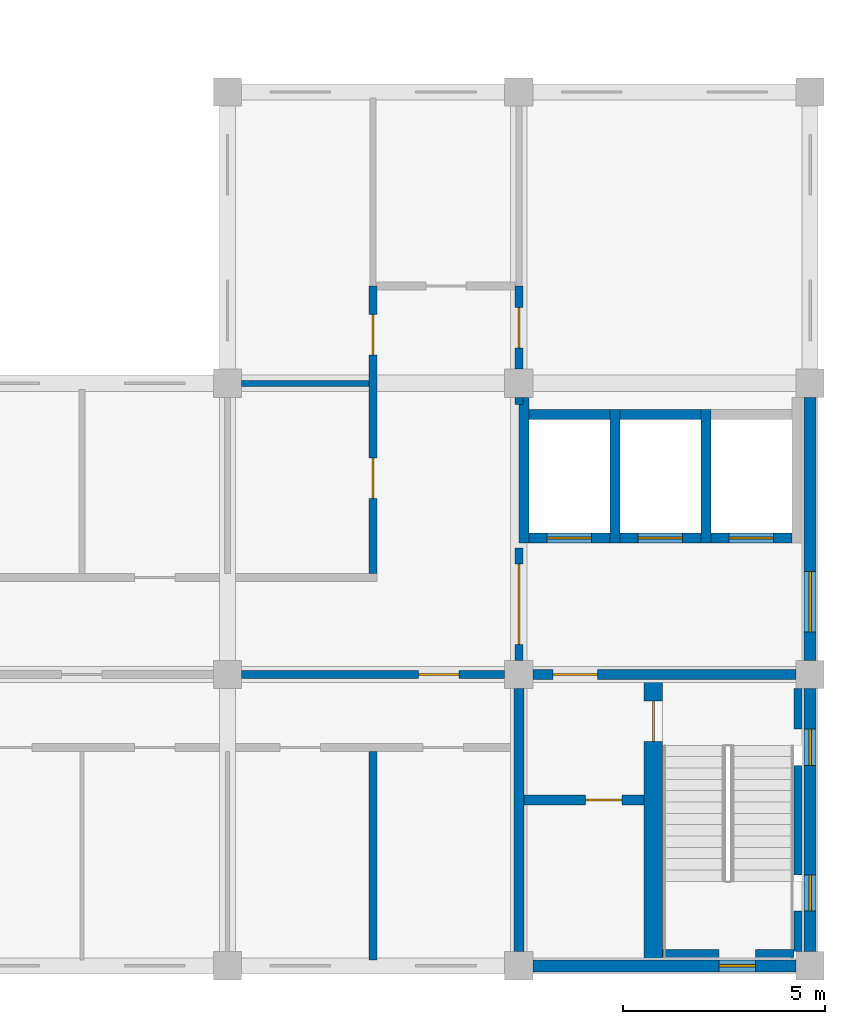
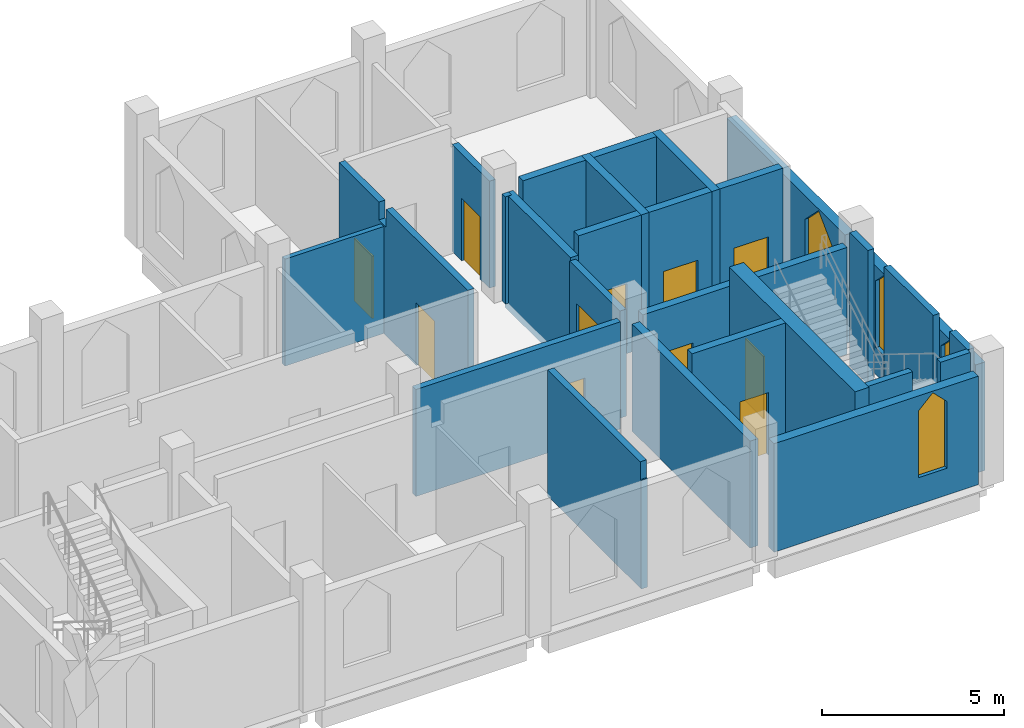
# One storey, part 3 of 5: 27 walls, 11 doors, 4 windows, 15 openings.
"""IFC4 building model written with IfcOpenShell, lengths in metres."""

from ifc_helpers import new_model, si_unit, direction, frame, frame_2d, origin, place, context, subcontext, project, spatial, polyline, rectangle, outline, extrude, material, layer, layer_set, type_object, element, fill, save


model = new_model("IFC4")

# Units and contexts
model_context = context("Model", 3, precision=1e-05, world=origin(), true_north=direction((0.0, 1.0)))
body_context = subcontext(model_context, "Body", "Model", "MODEL_VIEW")
ifc_project = project(units=[si_unit("LENGTHUNIT", "METRE"), si_unit("AREAUNIT", "SQUARE_METRE"), si_unit("VOLUMEUNIT", "CUBIC_METRE"), si_unit("PLANEANGLEUNIT", "RADIAN"), si_unit("MASSUNIT", "GRAM", prefix="KILO")], contexts=[model_context])

# Site, building, storey
site_placement = place(None, origin())
site = spatial("IfcSite", under=ifc_project, at=site_placement, CompositionType="ELEMENT")
building_placement = place(site_placement, origin())
building = spatial("IfcBuilding", under=site, at=building_placement, Name="Silangan Lancet Faculty of Sciences", CompositionType="ELEMENT")
storey_placement = place(building_placement, frame((0.0, 0.0, 63.300048828125)))
storey = spatial("IfcBuildingStorey", under=building, at=storey_placement, Name="L13", CompositionType="ELEMENT", Elevation=63.300048828125)

# Wall, opening, window
ifc_material_1 = material(Name="Concrete C40/50 precast", Category="concrete")
ifc_layer_1 = layer(ifc_material_1, 0.300048828125)
ifc_layer_set_1 = layer_set([ifc_layer_1], Name="Concrete C40/50 precast")
wall_type_1 = type_object("IfcWallType", Name="EW1 Precast cladding wall", PredefinedType="STANDARD", material=ifc_layer_set_1)
wall_1_placement = place(storey_placement, frame((28.800048828125, 7.550048828125, 0.0), z_axis=(0.0, 0.0, 1.0), x_axis=(0.0, 1.0, 0.0)))
wall_1 = element("IfcWall", 1, at=wall_1_placement, inside=storey, type_object=wall_type_1, Name="EW-L13-E-ST-01", PredefinedType="STANDARD", context=body_context, shape_type="SweptSolid", body=[
    extrude(rectangle(XDim=6.5, YDim=0.300048828125, at=frame_2d((3.25, 0.0))), origin(), (0.0, 0.0, 1.0), 3.64990234375),
])
opening_1_placement = place(wall_1_placement, frame((0.699951171875, 0.0, 0.89990234375)))
opening_1 = element("IfcOpeningElement", 2, at=opening_1_placement, cuts=wall_1, Name="Opening W23", PredefinedType="OPENING", context=body_context, shape_type="SweptSolid", body=[
    extrude(outline(polyline([(0.0, 0.0), (1.5, 0.0), (1.5, 1.949951171875), (0.75, 2.699951171875), (0.0, 1.949951171875), (0.0, 0.0)])), frame((0.0, 0.159912109375, 0.0), z_axis=(0.0, -1.0, 0.0), x_axis=(1.0, 0.0, 0.0)), (0.0, 0.0, 1.0), 0.320068359375),
])
ifc_material_2 = material(Name="Aluminium frame, laminated double glazing", Category="aluminium")
window_type_1 = type_object("IfcWindowType", Name="W23 Lancet window 1500 x 2700", PartitioningType="SINGLE_PANEL", PredefinedType="WINDOW", material=ifc_material_2)
window_1_placement = place(opening_1_placement, origin())
window_1 = element("IfcWindow", 3, at=window_1_placement, inside=storey, type_object=window_type_1, Name="WIN-L13-E-ST-01a", OverallHeight=2.699951171875, OverallWidth=1.5, PartitioningType="SINGLE_PANEL", PredefinedType="WINDOW", context=body_context, shape_type="SweptSolid", body=[
    extrude(outline(polyline([(0.0, 0.0), (1.5, 0.0), (1.5, 1.949951171875), (0.75, 2.699951171875), (0.0, 1.949951171875), (0.0, 0.0)])), frame((0.0, 0.030029296875, 0.0), z_axis=(0.0, -1.0, 0.0), x_axis=(1.0, 0.0, 0.0)), (0.0, 0.0, 1.0), 0.06005859375),
])
fill(opening_1, window_1)

ifc_material_3 = material(Name="Concrete C40/50 precast", Category="concrete")
ifc_layer_2 = layer(ifc_material_3, 0.300048828125)
ifc_layer_set_2 = layer_set([ifc_layer_2], Name="Concrete C40/50 precast")
wall_type_2 = type_object("IfcWallType", Name="EW2 Turret enclosure wall", PredefinedType="STANDARD", material=ifc_layer_set_2)
wall_2_placement = place(storey_placement, frame((21.949951171875, 0.0, 0.0), z_axis=(0.0, 0.0, 1.0), x_axis=(1.0, 0.0, 0.0)))
wall_2 = element("IfcWall", 4, at=wall_2_placement, inside=storey, type_object=wall_type_2, Name="EW-L13-S-ST-03", PredefinedType="STANDARD", context=body_context, shape_type="SweptSolid", body=[
    extrude(rectangle(XDim=6.5, YDim=0.300048828125, at=frame_2d((3.25, 0.0))), origin(), (0.0, 0.0, 1.0), 3.64990234375),
])
opening_2_placement = place(wall_2_placement, frame((4.60009765625, 0.0, 0.89990234375)))
opening_2 = element("IfcOpeningElement", 5, at=opening_2_placement, cuts=wall_2, Name="Opening W22", PredefinedType="OPENING", context=body_context, shape_type="SweptSolid", body=[
    extrude(outline(polyline([(0.0, 0.0), (0.89990234375, 0.0), (0.89990234375, 2.25), (0.449951171875, 2.699951171875), (0.0, 2.25), (0.0, 0.0)])), frame((0.0, 0.159912109375, 0.0), z_axis=(0.0, -1.0, 0.0), x_axis=(1.0, 0.0, 0.0)), (0.0, 0.0, 1.0), 0.320068359375),
])
ifc_material_4 = material(Name="Aluminium frame, laminated double glazing", Category="aluminium")
window_type_2 = type_object("IfcWindowType", Name="W22 Lancet window 900 x 2700", PartitioningType="SINGLE_PANEL", PredefinedType="WINDOW", material=ifc_material_4)
window_2_placement = place(opening_2_placement, origin())
window_2 = element("IfcWindow", 6, at=window_2_placement, inside=storey, type_object=window_type_2, Name="WIN-L13-S-ST-03b", OverallHeight=2.699951171875, OverallWidth=0.89990234375, PartitioningType="SINGLE_PANEL", PredefinedType="WINDOW", context=body_context, shape_type="SweptSolid", body=[
    extrude(outline(polyline([(0.0, 0.0), (0.89990234375, 0.0), (0.89990234375, 2.25), (0.449951171875, 2.699951171875), (0.0, 2.25), (0.0, 0.0)])), frame((0.0, 0.030029296875, 0.0), z_axis=(0.0, -1.0, 0.0), x_axis=(1.0, 0.0, 0.0)), (0.0, 0.0, 1.0), 0.06005859375),
])
fill(opening_2, window_2)

# Wall, openings, windows
wall_3_placement = place(storey_placement, frame((28.800048828125, 0.35009765625, 0.0), z_axis=(0.0, 0.0, 1.0), x_axis=(0.0, 1.0, 0.0)))
wall_3 = element("IfcWall", 7, at=wall_3_placement, inside=storey, type_object=wall_type_2, Name="EW-L13-E-ST-00", PredefinedType="STANDARD", context=body_context, shape_type="SweptSolid", body=[
    extrude(rectangle(XDim=6.5, YDim=0.300048828125, at=frame_2d((3.25, 0.0))), origin(), (0.0, 0.0, 1.0), 3.64990234375),
])
opening_3_placement = place(wall_3_placement, frame((1.0, 0.0, 0.89990234375)))
opening_3 = element("IfcOpeningElement", 8, at=opening_3_placement, cuts=wall_3, Name="Opening W22", PredefinedType="OPENING", context=body_context, shape_type="SweptSolid", body=[
    extrude(outline(polyline([(0.0, 0.0), (0.89990234375, 0.0), (0.89990234375, 2.25), (0.449951171875, 2.699951171875), (0.0, 2.25), (0.0, 0.0)])), frame((0.0, 0.159912109375, 0.0), z_axis=(0.0, -1.0, 0.0), x_axis=(1.0, 0.0, 0.0)), (0.0, 0.0, 1.0), 0.320068359375),
])
opening_4_placement = place(wall_3_placement, frame((4.60009765625, 0.0, 0.89990234375)))
opening_4 = element("IfcOpeningElement", 9, at=opening_4_placement, cuts=wall_3, Name="Opening W22", PredefinedType="OPENING", context=body_context, shape_type="SweptSolid", body=[
    extrude(outline(polyline([(0.0, 0.0), (0.89990234375, 0.0), (0.89990234375, 2.25), (0.449951171875, 2.699951171875), (0.0, 2.25), (0.0, 0.0)])), frame((0.0, 0.159912109375, 0.0), z_axis=(0.0, -1.0, 0.0), x_axis=(1.0, 0.0, 0.0)), (0.0, 0.0, 1.0), 0.320068359375),
])
window_3_placement = place(opening_3_placement, origin())
window_3 = element("IfcWindow", 10, at=window_3_placement, inside=storey, type_object=window_type_2, Name="WIN-L13-E-ST-00a", OverallHeight=2.699951171875, OverallWidth=0.89990234375, PartitioningType="SINGLE_PANEL", PredefinedType="WINDOW", context=body_context, shape_type="SweptSolid", body=[
    extrude(outline(polyline([(0.0, 0.0), (0.89990234375, 0.0), (0.89990234375, 2.25), (0.449951171875, 2.699951171875), (0.0, 2.25), (0.0, 0.0)])), frame((0.0, 0.030029296875, 0.0), z_axis=(0.0, -1.0, 0.0), x_axis=(1.0, 0.0, 0.0)), (0.0, 0.0, 1.0), 0.06005859375),
])
fill(opening_3, window_3)
window_4_placement = place(opening_4_placement, origin())
window_4 = element("IfcWindow", 11, at=window_4_placement, inside=storey, type_object=window_type_2, Name="WIN-L13-E-ST-00b", OverallHeight=2.699951171875, OverallWidth=0.89990234375, PartitioningType="SINGLE_PANEL", PredefinedType="WINDOW", context=body_context, shape_type="SweptSolid", body=[
    extrude(outline(polyline([(0.0, 0.0), (0.89990234375, 0.0), (0.89990234375, 2.25), (0.449951171875, 2.699951171875), (0.0, 2.25), (0.0, 0.0)])), frame((0.0, 0.030029296875, 0.0), z_axis=(0.0, -1.0, 0.0), x_axis=(1.0, 0.0, 0.0)), (0.0, 0.0, 1.0), 0.06005859375),
])
fill(opening_4, window_4)

# Wall, opening, door
ifc_material_5 = material(Name="Hollow block masonry fm 7 MPa", Category="masonry")
ifc_layer_3 = layer(ifc_material_5, 0.199951171875)
ifc_layer_set_3 = layer_set([ifc_layer_3], Name="Hollow block masonry fm 7 MPa")
wall_type_3 = type_object("IfcWallType", Name="Interior wall PW1 Corridor wall CHB 200", PredefinedType="PARTITIONING", material=ifc_layer_set_3)
wall_4_placement = place(storey_placement, frame((14.75, 7.199951171875, 0.0), z_axis=(0.0, 0.0, 1.0), x_axis=(1.0, 0.0, 0.0)))
wall_4 = element("IfcWall", 12, at=wall_4_placement, inside=storey, type_object=wall_type_3, Name="Corridor wall CHB 200", PredefinedType="PARTITIONING", context=body_context, shape_type="SweptSolid", body=[
    extrude(rectangle(XDim=6.5, YDim=0.199951171875, at=frame_2d((3.25, 0.0))), origin(), (0.0, 0.0, 1.0), 3.599853515625),
])
opening_5_placement = place(wall_4_placement, frame((4.375, 0.0, 0.0)))
opening_5 = element("IfcOpeningElement", 13, at=opening_5_placement, cuts=wall_4, Name="Opening L13-003", PredefinedType="OPENING", context=body_context, shape_type="SweptSolid", body=[
    extrude(rectangle(XDim=1.0, YDim=2.10009765625, at=frame_2d((0.5, 1.050048828125))), frame((0.0, 0.10986328125, 0.0), z_axis=(0.0, -1.0, 0.0), x_axis=(1.0, 0.0, 0.0)), (0.0, 0.0, 1.0), 0.219970703125),
])
ifc_material_6 = material(Name="Steel fire door set", Category="steel")
door_type_1 = type_object("IfcDoorType", Name="Door D1 Single leaf fire door 1000 x 2100", OperationType="SINGLE_SWING_LEFT", PredefinedType="DOOR", material=ifc_material_6)
door_1_placement = place(opening_5_placement, frame((1.0, 0.0, 0.0), z_axis=(0.0, 0.0, 1.0), x_axis=(-1.0, 0.0, 0.0)))
door_1 = element("IfcDoor", 14, at=door_1_placement, inside=storey, type_object=door_type_1, Name="Single leaf fire door 1000 x 2100", OperationType="SINGLE_SWING_RIGHT", OverallHeight=2.10009765625, OverallWidth=1.0, PredefinedType="DOOR", context=body_context, shape_type="SweptSolid", body=[
    extrude(rectangle(XDim=1.0, YDim=2.10009765625, at=frame_2d((0.5, 1.050048828125))), frame((0.0, 0.025146484375, 0.0), z_axis=(0.0, -1.0, 0.0), x_axis=(1.0, 0.0, 0.0)), (0.0, 0.0, 1.0), 0.050048828125),
])
fill(opening_5, door_1)

# Wall, openings, doors
wall_5_placement = place(storey_placement, frame((18.0, 9.699951171875, 0.0), z_axis=(0.0, 0.0, 1.0), x_axis=(0.0, 1.0, 0.0)))
wall_5 = element("IfcWall", 15, at=wall_5_placement, inside=storey, type_object=wall_type_3, Name="Corridor wall CHB 200", PredefinedType="PARTITIONING", context=body_context, shape_type="SweptSolid", body=[
    extrude(outline(polyline([(0.0, 0.0), (7.10009765625, 0.0), (7.10009765625, 4.25), (4.89990234375, 4.25), (4.89990234375, 3.64990234375), (4.5, 3.64990234375), (4.5, 4.25), (0.0, 4.25), (0.0, 0.0)])), frame((0.0, 0.10009765625, 0.0), z_axis=(0.0, -1.0, 0.0), x_axis=(1.0, 0.0, 0.0)), (0.0, 0.0, 1.0), 0.199951171875),
])
opening_6_placement = place(wall_5_placement, frame((5.39990234375, 0.0, 0.0)))
opening_6 = element("IfcOpeningElement", 16, at=opening_6_placement, cuts=wall_5, Name="Opening L13-010", PredefinedType="OPENING", context=body_context, shape_type="SweptSolid", body=[
    extrude(rectangle(XDim=1.0, YDim=2.10009765625, at=frame_2d((0.5, 1.050048828125))), frame((0.0, 0.10986328125, 0.0), z_axis=(0.0, -1.0, 0.0), x_axis=(1.0, 0.0, 0.0)), (0.0, 0.0, 1.0), 0.219970703125),
])
opening_7_placement = place(wall_5_placement, frame((1.85009765625, 0.0, 0.0)))
opening_7 = element("IfcOpeningElement", 17, at=opening_7_placement, cuts=wall_5, Name="Opening L13-014", PredefinedType="OPENING", context=body_context, shape_type="SweptSolid", body=[
    extrude(rectangle(XDim=1.0, YDim=2.10009765625, at=frame_2d((0.5, 1.050048828125))), frame((0.0, 0.10986328125, 0.0), z_axis=(0.0, -1.0, 0.0), x_axis=(1.0, 0.0, 0.0)), (0.0, 0.0, 1.0), 0.219970703125),
])
door_2_placement = place(opening_6_placement, origin())
door_2 = element("IfcDoor", 18, at=door_2_placement, inside=storey, type_object=door_type_1, Name="Single leaf fire door 1000 x 2100", OperationType="SINGLE_SWING_RIGHT", OverallHeight=2.10009765625, OverallWidth=1.0, PredefinedType="DOOR", context=body_context, shape_type="SweptSolid", body=[
    extrude(rectangle(XDim=1.0, YDim=2.10009765625, at=frame_2d((0.5, 1.050048828125))), frame((0.0, 0.02490234375, 0.0), z_axis=(0.0, -1.0, 0.0), x_axis=(1.0, 0.0, 0.0)), (0.0, 0.0, 1.0), 0.050048828125),
])
fill(opening_6, door_2)
door_3_placement = place(opening_7_placement, origin())
door_3 = element("IfcDoor", 19, at=door_3_placement, inside=storey, type_object=door_type_1, Name="Single leaf fire door 1000 x 2100", OperationType="SINGLE_SWING_RIGHT", OverallHeight=2.10009765625, OverallWidth=1.0, PredefinedType="DOOR", context=body_context, shape_type="SweptSolid", body=[
    extrude(rectangle(XDim=1.0, YDim=2.10009765625, at=frame_2d((0.5, 1.050048828125))), frame((0.0, 0.02490234375, 0.0), z_axis=(0.0, -1.0, 0.0), x_axis=(1.0, 0.0, 0.0)), (0.0, 0.0, 1.0), 0.050048828125),
])
fill(opening_7, door_3)

# Wall
wall_6_placement = place(storey_placement, frame((21.60009765625, 13.875, 0.0), z_axis=(0.0, 0.0, 1.0), x_axis=(0.0, 1.0, 0.0)))
element("IfcWall", 20, at=wall_6_placement, inside=storey, type_object=wall_type_3, Name="Corridor wall CHB 200", PredefinedType="PARTITIONING", context=body_context, shape_type="SweptSolid", body=[
    extrude(rectangle(XDim=0.175048828125, YDim=0.199951171875, at=frame_2d((0.08740234375, 0.0))), origin(), (0.0, 0.0, 1.0), 3.599853515625),
])

# Wall, opening, door
wall_7_placement = place(storey_placement, frame((21.60009765625, 14.75, 0.0), z_axis=(0.0, 0.0, 1.0), x_axis=(0.0, 1.0, 0.0)))
wall_7 = element("IfcWall", 21, at=wall_7_placement, inside=storey, type_object=wall_type_3, Name="Corridor wall CHB 200", PredefinedType="PARTITIONING", context=body_context, shape_type="SweptSolid", body=[
    extrude(rectangle(XDim=2.050048828125, YDim=0.199951171875, at=frame_2d((1.02490234375, 0.0))), origin(), (0.0, 0.0, 1.0), 3.599853515625),
])
opening_8_placement = place(wall_7_placement, frame((0.52490234375, 0.0, 0.0)))
opening_8 = element("IfcOpeningElement", 22, at=opening_8_placement, cuts=wall_7, Name="Opening L13-009", PredefinedType="OPENING", context=body_context, shape_type="SweptSolid", body=[
    extrude(rectangle(XDim=1.0, YDim=2.10009765625, at=frame_2d((0.5, 1.050048828125))), frame((0.0, 0.10986328125, 0.0), z_axis=(0.0, -1.0, 0.0), x_axis=(1.0, 0.0, 0.0)), (0.0, 0.0, 1.0), 0.219970703125),
])
door_4_placement = place(opening_8_placement, frame((1.0, 0.0, 0.0), z_axis=(0.0, 0.0, 1.0), x_axis=(-1.0, 0.0, 0.0)))
door_4 = element("IfcDoor", 23, at=door_4_placement, inside=storey, type_object=door_type_1, Name="Single leaf fire door 1000 x 2100", OperationType="SINGLE_SWING_RIGHT", OverallHeight=2.10009765625, OverallWidth=1.0, PredefinedType="DOOR", context=body_context, shape_type="SweptSolid", body=[
    extrude(rectangle(XDim=1.0, YDim=2.10009765625, at=frame_2d((0.5, 1.050048828125))), frame((0.0, 0.025146484375, 0.0), z_axis=(0.0, -1.0, 0.0), x_axis=(1.0, 0.0, 0.0)), (0.0, 0.0, 1.0), 0.050048828125),
])
fill(opening_8, door_4)

# Walls
ifc_material_7 = material(Name="Hollow block masonry fm 7 MPa", Category="masonry")
ifc_layer_4 = layer(ifc_material_7, 0.14990234375)
ifc_layer_set_4 = layer_set([ifc_layer_4], Name="Hollow block masonry fm 7 MPa")
wall_type_4 = type_object("IfcWallType", Name="Interior wall PW3 Partition CHB 150", PredefinedType="PARTITIONING", material=ifc_layer_set_4)
wall_8_placement = place(storey_placement, frame((14.75, 14.39990234375, 0.0), z_axis=(0.0, 0.0, 1.0), x_axis=(1.0, 0.0, 0.0)))
element("IfcWall", 24, at=wall_8_placement, inside=storey, type_object=wall_type_4, Name="Partition CHB 150", PredefinedType="PARTITIONING", context=body_context, shape_type="SweptSolid", body=[
    extrude(rectangle(XDim=3.14990234375, YDim=0.14990234375, at=frame_2d((1.574951171875, 0.0))), origin(), (0.0, 0.0, 1.0), 3.599853515625),
])
ifc_material_8 = material(Name="Hollow block masonry fm 7 MPa", Category="masonry")
ifc_layer_5 = layer(ifc_material_8, 0.199951171875)
ifc_layer_set_5 = layer_set([ifc_layer_5], Name="Hollow block masonry fm 7 MPa")
wall_type_5 = type_object("IfcWallType", Name="Interior wall PW4 Laboratory separation CHB 200", PredefinedType="PARTITIONING", material=ifc_layer_set_5)
wall_9_placement = place(storey_placement, frame((18.0, 0.14990234375, 0.0), z_axis=(0.0, 0.0, 1.0), x_axis=(0.0, 1.0, 0.0)))
element("IfcWall", 25, at=wall_9_placement, inside=storey, type_object=wall_type_5, Name="Laboratory separation CHB 200", PredefinedType="PARTITIONING", context=body_context, shape_type="SweptSolid", body=[
    extrude(outline(polyline([(0.0, 0.0), (5.150146484375, 0.0), (5.150146484375, 4.25), (0.050048828125, 4.25), (0.050048828125, 3.64990234375), (0.0, 3.64990234375), (0.0, 0.0)])), frame((0.0, 0.10009765625, 0.0), z_axis=(0.0, -1.0, 0.0), x_axis=(1.0, 0.0, 0.0)), (0.0, 0.0, 1.0), 0.199951171875),
])

# Wall, opening, door
ifc_material_9 = material(Name="Hollow block masonry fm 7 MPa", Category="masonry")
ifc_layer_6 = layer(ifc_material_9, 0.199951171875)
ifc_layer_set_6 = layer_set([ifc_layer_6], Name="Hollow block masonry fm 7 MPa")
wall_type_6 = type_object("IfcWallType", Name="Interior wall PW9 Lift lobby wall CHB 200", PredefinedType="PARTITIONING", material=ifc_layer_set_6)
wall_10_placement = place(storey_placement, frame((21.60009765625, 7.550048828125, 0.0), z_axis=(0.0, 0.0, 1.0), x_axis=(0.0, 1.0, 0.0)))
wall_10 = element("IfcWall", 26, at=wall_10_placement, inside=storey, type_object=wall_type_6, Name="Lift lobby wall CHB 200", PredefinedType="PARTITIONING", context=body_context, shape_type="SweptSolid", body=[
    extrude(rectangle(XDim=2.77490234375, YDim=0.199951171875, at=frame_2d((1.387451171875, 0.0))), origin(), (0.0, 0.0, 1.0), 3.599853515625),
])
opening_9_placement = place(wall_10_placement, frame((0.387451171875, 0.0, 0.0)))
opening_9 = element("IfcOpeningElement", 27, at=opening_9_placement, cuts=wall_10, Name="Opening L13-001", PredefinedType="OPENING", context=body_context, shape_type="SweptSolid", body=[
    extrude(rectangle(XDim=2.0, YDim=2.39990234375, at=frame_2d((1.0, 1.199951171875))), frame((0.0, 0.10986328125, 0.0), z_axis=(0.0, -1.0, 0.0), x_axis=(1.0, 0.0, 0.0)), (0.0, 0.0, 1.0), 0.219970703125),
])
ifc_material_10 = material(Name="Steel fire door set", Category="steel")
door_type_2 = type_object("IfcDoorType", Name="Door D5 Lift lobby double fire door 2000 x 2400", OperationType="DOUBLE_DOOR_SINGLE_SWING", PredefinedType="DOOR", material=ifc_material_10)
door_5_placement = place(opening_9_placement, origin())
door_5 = element("IfcDoor", 28, at=door_5_placement, inside=storey, type_object=door_type_2, Name="Lift lobby double fire door 2000 x 2400", OperationType="DOUBLE_DOOR_SINGLE_SWING", OverallHeight=2.39990234375, OverallWidth=2.0, PredefinedType="DOOR", context=body_context, shape_type="SweptSolid", body=[
    extrude(rectangle(XDim=2.0, YDim=2.39990234375, at=frame_2d((1.0, 1.199951171875))), frame((0.0, 0.02490234375, 0.0), z_axis=(0.0, -1.0, 0.0), x_axis=(1.0, 0.0, 0.0)), (0.0, 0.0, 1.0), 0.050048828125),
])
fill(opening_9, door_5)

# Walls
ifc_material_11 = material(Name="Concrete C40/50", Category="concrete")
ifc_layer_7 = layer(ifc_material_11, 0.25)
ifc_layer_set_7 = layer_set([ifc_layer_7], Name="Concrete C40/50")
wall_type_7 = type_object("IfcWallType", Name="LIFT SHAFT WALL RC 250", PredefinedType="SHEAR", material=ifc_layer_set_7)
wall_11_placement = place(storey_placement, frame((21.72509765625, 10.449951171875, -0.25), z_axis=(0.0, 0.0, 1.0), x_axis=(0.0, 1.0, 0.0)))
element("IfcWall", 29, at=wall_11_placement, inside=storey, type_object=wall_type_7, Name="WALL-L13-ST-SW1", PredefinedType="SHEAR", context=body_context, shape_type="SweptSolid", body=[
    extrude(rectangle(XDim=3.60009765625, YDim=0.25, at=frame_2d((1.800048828125, 0.0))), origin(), (0.0, 0.0, 1.0), 3.849853515625),
])
for number, where, z_axis, x_axis, name in (
    (30, (23.97509765625, 10.449951171875, -0.25), (0.0, 0.0, 1.0), (0.0, 1.0, 0.0), "WALL-L13-ST-SW2"),
    (31, (26.22509765625, 10.449951171875, -0.25), (0.0, 0.0, 1.0), (0.0, 1.0, 0.0), "WALL-L13-ST-SW3"),
):
    element("IfcWall", number, at=place(storey_placement, frame(where, z_axis=z_axis, x_axis=x_axis)), inside=storey, type_object=wall_type_7, Name=name, PredefinedType="SHEAR", context=body_context, shape_type="SweptSolid", body=[
        extrude(rectangle(XDim=3.300048828125, YDim=0.25, at=frame_2d((1.64990234375, 0.0))), origin(), (0.0, 0.0, 1.0), 4.5),
    ])

# Wall, opening, door
wall_12_placement = place(storey_placement, frame((21.85009765625, 10.574951171875, -0.25), z_axis=(0.0, 0.0, 1.0), x_axis=(1.0, 0.0, 0.0)))
wall_12 = element("IfcWall", 32, at=wall_12_placement, inside=storey, type_object=wall_type_7, Name="WALL-L13-ST-L1-F", PredefinedType="SHEAR", context=body_context, shape_type="SweptSolid", body=[
    extrude(rectangle(XDim=2.0, YDim=0.25, at=frame_2d((1.0, 0.0))), origin(), (0.0, 0.0, 1.0), 4.5),
])
opening_10_placement = place(wall_12_placement, frame((0.449951171875, 0.0, 0.25)))
opening_10 = element("IfcOpeningElement", 33, at=opening_10_placement, cuts=wall_12, Name="Opening L13-801", PredefinedType="OPENING", context=body_context, shape_type="SweptSolid", body=[
    extrude(rectangle(XDim=1.10009765625, YDim=2.10009765625, at=frame_2d((0.550048828125, 1.050048828125))), frame((0.0, 0.135009765625, 0.0), z_axis=(0.0, -1.0, 0.0), x_axis=(1.0, 0.0, 0.0)), (0.0, 0.0, 1.0), 0.27001953125),
])
ifc_material_12 = material(Name="Stainless steel sliding door", Category="steel")
door_type_3 = type_object("IfcDoorType", Name="LD1 Lift landing door 1100x2100", OperationType="SLIDING_TO_LEFT", PredefinedType="DOOR", material=ifc_material_12)
door_6_placement = place(opening_10_placement, origin())
door_6 = element("IfcDoor", 34, at=door_6_placement, inside=storey, type_object=door_type_3, Name="Landing door ST-L1 L13", OperationType="SLIDING_TO_LEFT", OverallHeight=2.10009765625, OverallWidth=1.10009765625, PredefinedType="DOOR", context=body_context, shape_type="SweptSolid", body=[
    extrude(rectangle(XDim=1.10009765625, YDim=2.10009765625, at=frame_2d((0.550048828125, 1.050048828125))), frame((0.0, 0.02490234375, 0.0), z_axis=(0.0, -1.0, 0.0), x_axis=(1.0, 0.0, 0.0)), (0.0, 0.0, 1.0), 0.050048828125),
])
fill(opening_10, door_6)

# Wall
wall_13_placement = place(storey_placement, frame((21.85009765625, 13.625, -0.25), z_axis=(0.0, 0.0, 1.0), x_axis=(1.0, 0.0, 0.0)))
element("IfcWall", 35, at=wall_13_placement, inside=storey, type_object=wall_type_7, Name="WALL-L13-ST-L1-B", PredefinedType="SHEAR", context=body_context, shape_type="SweptSolid", body=[
    extrude(rectangle(XDim=2.0, YDim=0.25, at=frame_2d((1.0, 0.0))), origin(), (0.0, 0.0, 1.0), 4.5),
])

# Wall, opening, door
wall_14_placement = place(storey_placement, frame((24.10009765625, 10.574951171875, -0.25), z_axis=(0.0, 0.0, 1.0), x_axis=(1.0, 0.0, 0.0)))
wall_14 = element("IfcWall", 36, at=wall_14_placement, inside=storey, type_object=wall_type_7, Name="WALL-L13-ST-L2-F", PredefinedType="SHEAR", context=body_context, shape_type="SweptSolid", body=[
    extrude(rectangle(XDim=2.0, YDim=0.25, at=frame_2d((1.0, 0.0))), origin(), (0.0, 0.0, 1.0), 4.5),
])
opening_11_placement = place(wall_14_placement, frame((0.449951171875, 0.0, 0.25)))
opening_11 = element("IfcOpeningElement", 37, at=opening_11_placement, cuts=wall_14, Name="Opening L13-802", PredefinedType="OPENING", context=body_context, shape_type="SweptSolid", body=[
    extrude(rectangle(XDim=1.10009765625, YDim=2.10009765625, at=frame_2d((0.550048828125, 1.050048828125))), frame((0.0, 0.135009765625, 0.0), z_axis=(0.0, -1.0, 0.0), x_axis=(1.0, 0.0, 0.0)), (0.0, 0.0, 1.0), 0.27001953125),
])
door_7_placement = place(opening_11_placement, origin())
door_7 = element("IfcDoor", 38, at=door_7_placement, inside=storey, type_object=door_type_3, Name="Landing door ST-L2 L13", OperationType="SLIDING_TO_LEFT", OverallHeight=2.10009765625, OverallWidth=1.10009765625, PredefinedType="DOOR", context=body_context, shape_type="SweptSolid", body=[
    extrude(rectangle(XDim=1.10009765625, YDim=2.10009765625, at=frame_2d((0.550048828125, 1.050048828125))), frame((0.0, 0.02490234375, 0.0), z_axis=(0.0, -1.0, 0.0), x_axis=(1.0, 0.0, 0.0)), (0.0, 0.0, 1.0), 0.050048828125),
])
fill(opening_11, door_7)

# Wall
wall_15_placement = place(storey_placement, frame((24.10009765625, 13.625, -0.25), z_axis=(0.0, 0.0, 1.0), x_axis=(1.0, 0.0, 0.0)))
element("IfcWall", 39, at=wall_15_placement, inside=storey, type_object=wall_type_7, Name="WALL-L13-ST-L2-B", PredefinedType="SHEAR", context=body_context, shape_type="SweptSolid", body=[
    extrude(rectangle(XDim=2.0, YDim=0.25, at=frame_2d((1.0, 0.0))), origin(), (0.0, 0.0, 1.0), 4.5),
])

# Wall, opening, door
wall_16_placement = place(storey_placement, frame((26.35009765625, 10.574951171875, -0.25), z_axis=(0.0, 0.0, 1.0), x_axis=(1.0, 0.0, 0.0)))
wall_16 = element("IfcWall", 40, at=wall_16_placement, inside=storey, type_object=wall_type_7, Name="WALL-L13-ST-L3-F", PredefinedType="SHEAR", context=body_context, shape_type="SweptSolid", body=[
    extrude(rectangle(XDim=2.0, YDim=0.25, at=frame_2d((1.0, 0.0))), origin(), (0.0, 0.0, 1.0), 4.5),
])
opening_12_placement = place(wall_16_placement, frame((0.449951171875, 0.0, 0.25)))
opening_12 = element("IfcOpeningElement", 41, at=opening_12_placement, cuts=wall_16, Name="Opening L13-803", PredefinedType="OPENING", context=body_context, shape_type="SweptSolid", body=[
    extrude(rectangle(XDim=1.10009765625, YDim=2.10009765625, at=frame_2d((0.550048828125, 1.050048828125))), frame((0.0, 0.135009765625, 0.0), z_axis=(0.0, -1.0, 0.0), x_axis=(1.0, 0.0, 0.0)), (0.0, 0.0, 1.0), 0.27001953125),
])
door_8_placement = place(opening_12_placement, origin())
door_8 = element("IfcDoor", 42, at=door_8_placement, inside=storey, type_object=door_type_3, Name="Landing door ST-L3 L13", OperationType="SLIDING_TO_LEFT", OverallHeight=2.10009765625, OverallWidth=1.10009765625, PredefinedType="DOOR", context=body_context, shape_type="SweptSolid", body=[
    extrude(rectangle(XDim=1.10009765625, YDim=2.10009765625, at=frame_2d((0.550048828125, 1.050048828125))), frame((0.0, 0.02490234375, 0.0), z_axis=(0.0, -1.0, 0.0), x_axis=(1.0, 0.0, 0.0)), (0.0, 0.0, 1.0), 0.050048828125),
])
fill(opening_12, door_8)

ifc_material_13 = material(Name="Concrete C40/50", Category="concrete")
ifc_layer_8 = layer(ifc_material_13, 0.449951171875)
ifc_layer_set_8 = layer_set([ifc_layer_8], Name="Concrete C40/50")
wall_type_8 = type_object("IfcWallType", Name="TURRET CORE WALL RC 450", PredefinedType="SHEAR", material=ifc_layer_set_8)
wall_17_placement = place(storey_placement, frame((24.925048828125, 0.14990234375, 0.0), z_axis=(0.0, 0.0, 1.0), x_axis=(0.0, 1.0, 0.0)))
wall_17 = element("IfcWall", 43, at=wall_17_placement, inside=storey, type_object=wall_type_8, Name="WALL-L13-ST-B-WELL", PredefinedType="SHEAR", context=body_context, shape_type="SweptSolid", body=[
    extrude(rectangle(XDim=6.925048828125, YDim=0.449951171875, at=frame_2d((3.46240234375, 0.0))), origin(), (0.0, 0.0, 1.0), 4.25),
])
opening_13_placement = place(wall_17_placement, frame((5.39990234375, 0.0, 0.0)))
opening_13 = element("IfcOpeningElement", 44, at=opening_13_placement, cuts=wall_17, Name="Opening L13-704", PredefinedType="OPENING", context=body_context, shape_type="SweptSolid", body=[
    extrude(rectangle(XDim=1.0, YDim=2.10009765625, at=frame_2d((0.5, 1.050048828125))), frame((0.0, 0.23486328125, 0.0), z_axis=(0.0, -1.0, 0.0), x_axis=(1.0, 0.0, 0.0)), (0.0, 0.0, 1.0), 0.469970703125),
])
ifc_material_14 = material(Name="Steel fire door set", Category="steel")
door_type_4 = type_object("IfcDoorType", Name="D71 Stair enclosure door 1000x2100", OperationType="SINGLE_SWING_LEFT", PredefinedType="DOOR", material=ifc_material_14)
door_9_placement = place(opening_13_placement, frame((1.0, 0.0, 0.0), z_axis=(0.0, 0.0, 1.0), x_axis=(-1.0, 0.0, 0.0)))
door_9 = element("IfcDoor", 45, at=door_9_placement, inside=storey, type_object=door_type_4, Name="Stair enclosure door ST-B L13", OperationType="SINGLE_SWING_LEFT", OverallHeight=2.10009765625, OverallWidth=1.0, PredefinedType="DOOR", context=body_context, shape_type="SweptSolid", body=[
    extrude(rectangle(XDim=1.0, YDim=2.10009765625, at=frame_2d((0.5, 1.050048828125))), frame((0.0, 0.025146484375, 0.0), z_axis=(0.0, -1.0, 0.0), x_axis=(1.0, 0.0, 0.0)), (0.0, 0.0, 1.0), 0.050048828125),
])
fill(opening_13, door_9)

# Walls
ifc_material_15 = material(Name="Concrete C40/50", Category="concrete")
ifc_layer_9 = layer(ifc_material_15, 0.199951171875)
ifc_layer_set_9 = layer_set([ifc_layer_9], Name="Concrete C40/50")
wall_type_9 = type_object("IfcWallType", Name="TURRET LINING WALL RC 200", PredefinedType="SHEAR", material=ifc_layer_set_9)
wall_18_placement = place(storey_placement, frame((28.5, 0.35009765625, -0.25), z_axis=(0.0, 0.0, 1.0), x_axis=(0.0, 1.0, 0.0)))
element("IfcWall", 46, at=wall_18_placement, inside=storey, type_object=wall_type_9, Name="WALL-L13-ST-B-WL", PredefinedType="SHEAR", context=body_context, shape_type="SweptSolid", body=[
    extrude(rectangle(XDim=1.0, YDim=0.199951171875, at=frame_2d((0.5, 0.0))), origin(), (0.0, 0.0, 1.0), 4.5),
])
wall_19_placement = place(storey_placement, frame((28.5, 2.25, -0.25), z_axis=(0.0, 0.0, 1.0), x_axis=(0.0, 1.0, 0.0)))
element("IfcWall", 47, at=wall_19_placement, inside=storey, type_object=wall_type_9, Name="WALL-L13-ST-B-WL-2", PredefinedType="SHEAR", context=body_context, shape_type="SweptSolid", body=[
    extrude(rectangle(XDim=2.699951171875, YDim=0.199951171875, at=frame_2d((1.35009765625, 0.0))), origin(), (0.0, 0.0, 1.0), 4.5),
])
wall_20_placement = place(storey_placement, frame((28.5, 5.85009765625, -0.25), z_axis=(0.0, 0.0, 1.0), x_axis=(0.0, 1.0, 0.0)))
element("IfcWall", 48, at=wall_20_placement, inside=storey, type_object=wall_type_9, Name="WALL-L13-ST-B-WL-3", PredefinedType="SHEAR", context=body_context, shape_type="SweptSolid", body=[
    extrude(rectangle(XDim=1.0, YDim=0.199951171875, at=frame_2d((0.5, 0.0))), origin(), (0.0, 0.0, 1.0), 4.5),
])
wall_21_placement = place(storey_placement, frame((25.14990234375, 0.300048828125, -0.25), z_axis=(0.0, 0.0, 1.0), x_axis=(1.0, 0.0, 0.0)))
element("IfcWall", 49, at=wall_21_placement, inside=storey, type_object=wall_type_9, Name="WALL-L13-ST-B-WLD", PredefinedType="SHEAR", context=body_context, shape_type="SweptSolid", body=[
    extrude(rectangle(XDim=1.400146484375, YDim=0.199951171875, at=frame_2d((0.7001953125, 0.0))), origin(), (0.0, 0.0, 1.0), 4.5),
])
wall_22_placement = place(storey_placement, frame((27.449951171875, 0.300048828125, -0.25), z_axis=(0.0, 0.0, 1.0), x_axis=(1.0, 0.0, 0.0)))
element("IfcWall", 50, at=wall_22_placement, inside=storey, type_object=wall_type_9, Name="WALL-L13-ST-B-WLD-2", PredefinedType="SHEAR", context=body_context, shape_type="SweptSolid", body=[
    extrude(rectangle(XDim=0.949951171875, YDim=0.199951171875, at=frame_2d((0.47509765625, 0.0))), origin(), (0.0, 0.0, 1.0), 4.5),
])

# Wall, opening, door
ifc_material_16 = material(Name="Concrete C40/50", Category="concrete")
ifc_layer_10 = layer(ifc_material_16, 0.25)
ifc_layer_set_10 = layer_set([ifc_layer_10], Name="Concrete C40/50")
wall_type_10 = type_object("IfcWallType", Name="TURRET WALL RC 250", PredefinedType="SHEAR", material=ifc_layer_set_10)
wall_23_placement = place(storey_placement, frame((21.949951171875, 7.199951171875, 0.0), z_axis=(0.0, 0.0, 1.0), x_axis=(1.0, 0.0, 0.0)))
wall_23 = element("IfcWall", 51, at=wall_23_placement, inside=storey, type_object=wall_type_10, Name="WALL-L13-ST-B-V", PredefinedType="SHEAR", context=body_context, shape_type="SweptSolid", body=[
    extrude(rectangle(XDim=6.5, YDim=0.25, at=frame_2d((3.25, 0.0))), origin(), (0.0, 0.0, 1.0), 3.599853515625),
])
opening_14_placement = place(wall_23_placement, frame((0.5, 0.0, 0.0)))
opening_14 = element("IfcOpeningElement", 52, at=opening_14_placement, cuts=wall_23, Name="Opening L13-705", PredefinedType="OPENING", context=body_context, shape_type="SweptSolid", body=[
    extrude(rectangle(XDim=1.10009765625, YDim=2.10009765625, at=frame_2d((0.550048828125, 1.050048828125))), frame((0.0, 0.135009765625, 0.0), z_axis=(0.0, -1.0, 0.0), x_axis=(1.0, 0.0, 0.0)), (0.0, 0.0, 1.0), 0.27001953125),
])
ifc_material_17 = material(Name="Steel fire door set", Category="steel")
door_type_5 = type_object("IfcDoorType", Name="D70 Stair vestibule door 1100x2100", OperationType="SINGLE_SWING_LEFT", PredefinedType="DOOR", material=ifc_material_17)
door_10_placement = place(opening_14_placement, frame((1.10009765625, 0.0, 0.0), z_axis=(0.0, 0.0, 1.0), x_axis=(-1.0, 0.0, 0.0)))
door_10 = element("IfcDoor", 53, at=door_10_placement, inside=storey, type_object=door_type_5, Name="Stair vestibule door ST-B L13", OperationType="SINGLE_SWING_RIGHT", OverallHeight=2.10009765625, OverallWidth=1.10009765625, PredefinedType="DOOR", context=body_context, shape_type="SweptSolid", body=[
    extrude(rectangle(XDim=1.10009765625, YDim=2.10009765625, at=frame_2d((0.550048828125, 1.050048828125))), frame((0.0, 0.025146484375, 0.0), z_axis=(0.0, -1.0, 0.0), x_axis=(1.0, 0.0, 0.0)), (0.0, 0.0, 1.0), 0.050048828125),
])
fill(opening_14, door_10)

# Wall
wall_24_placement = place(storey_placement, frame((21.60009765625, 0.35009765625, 0.0), z_axis=(0.0, 0.0, 1.0), x_axis=(0.0, 1.0, 0.0)))
element("IfcWall", 54, at=wall_24_placement, inside=storey, type_object=wall_type_10, Name="WALL-L13-ST-B-O", PredefinedType="SHEAR", context=body_context, shape_type="SweptSolid", body=[
    extrude(rectangle(XDim=6.5, YDim=0.25, at=frame_2d((3.25, 0.0))), origin(), (0.0, 0.0, 1.0), 3.599853515625),
])

# Wall, opening, door
wall_25_placement = place(storey_placement, frame((21.72509765625, 4.10009765625, 0.0), z_axis=(0.0, 0.0, 1.0), x_axis=(1.0, 0.0, 0.0)))
wall_25 = element("IfcWall", 55, at=wall_25_placement, inside=storey, type_object=wall_type_10, Name="WALL-L13-ST-B-RISER", PredefinedType="SHEAR", context=body_context, shape_type="SweptSolid", body=[
    extrude(rectangle(XDim=2.974853515625, YDim=0.25, at=frame_2d((1.4873046875, 0.0))), origin(), (0.0, 0.0, 1.0), 4.25),
])
opening_15_placement = place(wall_25_placement, frame((1.52490234375, 0.0, 0.0)))
opening_15 = element("IfcOpeningElement", 56, at=opening_15_placement, cuts=wall_25, Name="Opening L13-706", PredefinedType="OPENING", context=body_context, shape_type="SweptSolid", body=[
    extrude(rectangle(XDim=0.89990234375, YDim=2.10009765625, at=frame_2d((0.449951171875, 1.050048828125))), frame((0.0, 0.135009765625, 0.0), z_axis=(0.0, -1.0, 0.0), x_axis=(1.0, 0.0, 0.0)), (0.0, 0.0, 1.0), 0.27001953125),
])
ifc_material_18 = material(Name="Steel fire door set", Category="steel")
door_type_6 = type_object("IfcDoorType", Name="D72 Riser access door 900x2100", OperationType="SINGLE_SWING_LEFT", PredefinedType="DOOR", material=ifc_material_18)
door_11_placement = place(opening_15_placement, frame((0.89990234375, 0.0, 0.0), z_axis=(0.0, 0.0, 1.0), x_axis=(-1.0, 0.0, 0.0)))
door_11 = element("IfcDoor", 57, at=door_11_placement, inside=storey, type_object=door_type_6, Name="Riser access door ST-B L13", OperationType="SINGLE_SWING_RIGHT", OverallHeight=2.10009765625, OverallWidth=0.89990234375, PredefinedType="DOOR", context=body_context, shape_type="SweptSolid", body=[
    extrude(rectangle(XDim=0.89990234375, YDim=2.10009765625, at=frame_2d((0.449951171875, 1.050048828125))), frame((0.0, 0.025146484375, 0.0), z_axis=(0.0, -1.0, 0.0), x_axis=(1.0, 0.0, 0.0)), (0.0, 0.0, 1.0), 0.050048828125),
])
fill(opening_15, door_11)

save(model, "model.ifc")
